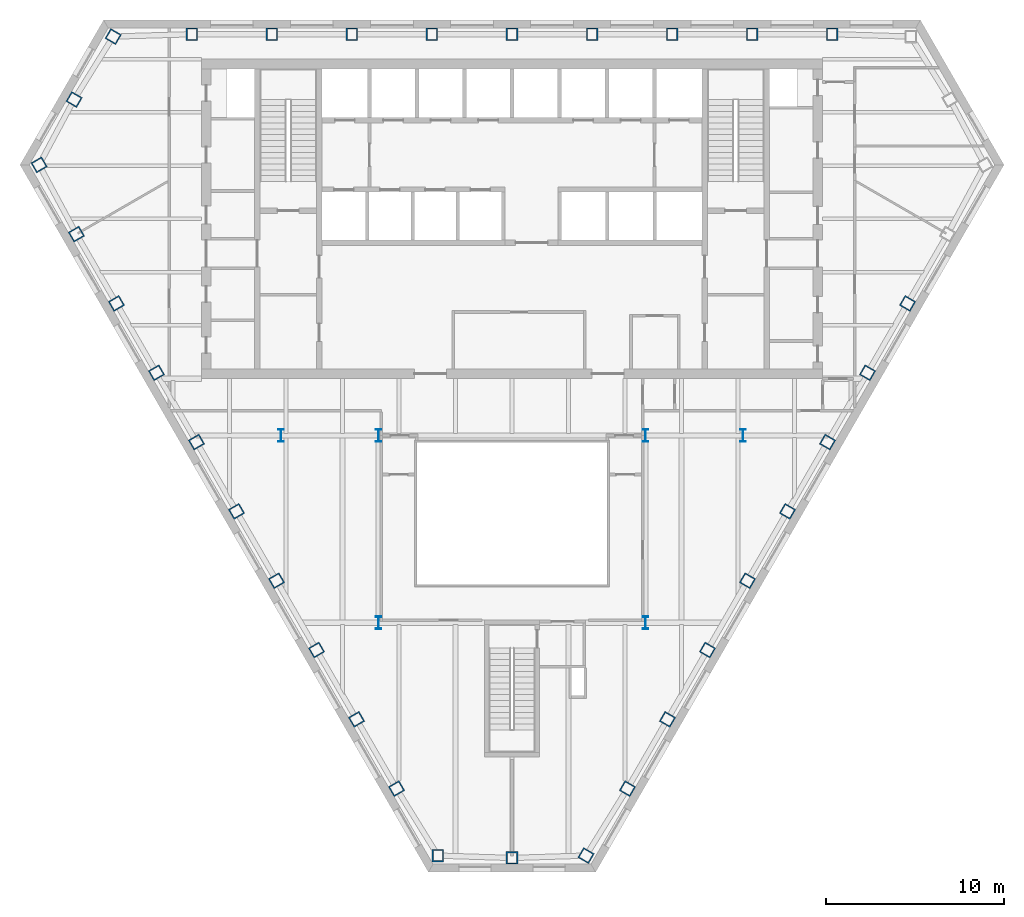
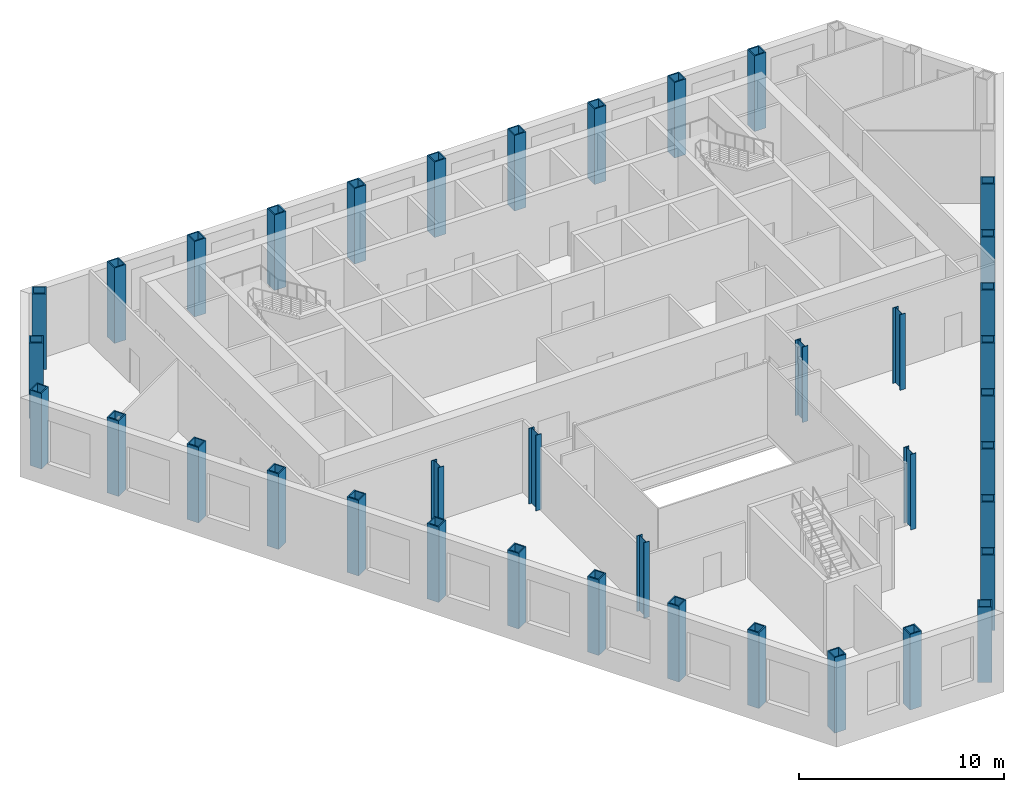
# One storey, part 1 of 11: 38 columns.
"""IFC4 building model written with IfcOpenShell, lengths in metres."""

from ifc_helpers import new_model, si_unit, direction, frame, origin, origin_2d, place, context, subcontext, project, spatial, hollow_rectangle, i_section, extrude, material, material_profile, profile_set, type_object, element, save


model = new_model("IFC4")

# Units and contexts
model_context = context("Model", 3, precision=1e-05, world=origin(), true_north=direction((0.0, 1.0)))
body_context = subcontext(model_context, "Body", "Model", "MODEL_VIEW")
ifc_project = project(units=[si_unit("LENGTHUNIT", "METRE"), si_unit("AREAUNIT", "SQUARE_METRE"), si_unit("VOLUMEUNIT", "CUBIC_METRE"), si_unit("PLANEANGLEUNIT", "RADIAN"), si_unit("MASSUNIT", "GRAM", prefix="KILO")], contexts=[model_context])

# Site, building, storey
site_placement = place(None, origin())
site = spatial("IfcSite", under=ifc_project, at=site_placement, CompositionType="ELEMENT")
building_placement = place(site_placement, origin())
building = spatial("IfcBuilding", under=site, at=building_placement, Name="Njiva Tower", CompositionType="ELEMENT")
storey_placement = place(building_placement, frame((0.0, 0.0, 129.3)))
storey = spatial("IfcBuildingStorey", under=building, at=storey_placement, Name="L27", CompositionType="ELEMENT", Elevation=129.3)

# Columns
ifc_material = material(Name="Steel S355 J2", Category="steel")
ifc_material_profile_1 = material_profile(ifc_material, hollow_rectangle(XDim=0.65, YDim=0.7, WallThickness=0.065, at=origin_2d()), Name="BOX 700x650x65")
ifc_profile_set_1 = profile_set([ifc_material_profile_1], Name="Steel S355 J2")
column_type_1 = type_object("IfcColumnType", Name="C7 Perimeter tube column BOX 700x650x65", PredefinedType="COLUMN", material=ifc_profile_set_1)
for number, where, z_axis, x_axis, name in (
    (1, (18.03, 19.4, 0.0), (0.0, 0.0, 1.0), (-1.0, 0.0, 0.0), "Perimeter tube column S09-C02"),
    (2, (13.523, 19.4, 0.0), (0.0, 0.0, 1.0), (-1.0, 0.0, 0.0), "Perimeter tube column S09-C03"),
    (3, (9.015, 19.4, 0.0), (0.0, 0.0, 1.0), (-1.0, 0.0, 0.0), "Perimeter tube column S09-C04"),
    (4, (4.508, 19.4, 0.0), (0.0, 0.0, 1.0), (-1.0, 0.0, 0.0), "Perimeter tube column S09-C05"),
    (5, (0.0, 19.4, 0.0), (0.0, 0.0, 1.0), (-1.0, 0.0, 0.0), "Perimeter tube column S09-C06"),
    (6, (-4.508, 19.4, 0.0), (0.0, 0.0, 1.0), (-1.0, 0.0, 0.0), "Perimeter tube column S09-C07"),
    (7, (-9.015, 19.4, 0.0), (0.0, 0.0, 1.0), (-1.0, 0.0, 0.0), "Perimeter tube column S09-C08"),
    (8, (-13.523, 19.4, 0.0), (0.0, 0.0, 1.0), (-1.0, 0.0, 0.0), "Perimeter tube column S09-C09"),
    (9, (-18.03, 19.4, 0.0), (0.0, 0.0, 1.0), (-1.0, 0.0, 0.0), "Perimeter tube column S09-C10"),
    (10, (-22.461, 19.267, 0.0), (0.0, 0.0, 1.0), (-0.5, -0.866025403784, 0.0), "Perimeter tube column S09-C11"),
    (11, (-24.662, 15.721, 0.0), (0.0, 0.0, 1.0), (-0.5, -0.866025403784, 0.0), "Perimeter tube column S09-C12"),
    (12, (-26.633, 12.042, 0.0), (0.0, 0.0, 1.0), (0.5, -0.866025403784, 0.0), "Perimeter tube column S09-C13"),
    (13, (-24.532, 8.138, 0.0), (0.0, 0.0, 1.0), (0.5, -0.866025403784, 0.0), "Perimeter tube column S09-C14"),
    (14, (-22.279, 4.235, 0.0), (0.0, 0.0, 1.0), (0.5, -0.866025403784, 0.0), "Perimeter tube column S09-C15"),
    (15, (-20.025, 0.331, 0.0), (0.0, 0.0, 1.0), (0.5, -0.866025403784, 0.0), "Perimeter tube column S09-C16"),
    (16, (-17.771, -3.573, 0.0), (0.0, 0.0, 1.0), (0.5, -0.866025403784, 0.0), "Perimeter tube column S09-C17"),
    (17, (-15.517, -7.477, 0.0), (0.0, 0.0, 1.0), (0.5, -0.866025403784, 0.0), "Perimeter tube column S09-C18"),
    (18, (-13.263, -11.38, 0.0), (0.0, 0.0, 1.0), (0.5, -0.866025403784, 0.0), "Perimeter tube column S09-C19"),
    (19, (-11.01, -15.284, 0.0), (0.0, 0.0, 1.0), (0.5, -0.866025403784, 0.0), "Perimeter tube column S09-C20"),
    (20, (-8.756, -19.188, 0.0), (0.0, 0.0, 1.0), (0.5, -0.866025403784, 0.0), "Perimeter tube column S09-C21"),
    (21, (-6.502, -23.091, 0.0), (0.0, 0.0, 1.0), (0.5, -0.866025403784, 0.0), "Perimeter tube column S09-C22"),
    (22, (-4.171, -26.862, 0.0), (0.0, 0.0, 1.0), (1.0, 0.0, 0.0), "Perimeter tube column S09-C23"),
    (23, (0.0, -26.995, 0.0), (0.0, 0.0, 1.0), (1.0, 0.0, 0.0), "Perimeter tube column S09-C24"),
    (24, (4.171, -26.862, 0.0), (0.0, 0.0, 1.0), (0.5, 0.866025403784, 0.0), "Perimeter tube column S09-C25"),
    (25, (6.502, -23.091, 0.0), (0.0, 0.0, 1.0), (0.5, 0.866025403784, 0.0), "Perimeter tube column S09-C26"),
    (26, (8.756, -19.188, 0.0), (0.0, 0.0, 1.0), (0.5, 0.866025403784, 0.0), "Perimeter tube column S09-C27"),
    (27, (11.01, -15.284, 0.0), (0.0, 0.0, 1.0), (0.5, 0.866025403784, 0.0), "Perimeter tube column S09-C28"),
    (28, (13.263, -11.38, 0.0), (0.0, 0.0, 1.0), (0.5, 0.866025403784, 0.0), "Perimeter tube column S09-C29"),
    (29, (15.517, -7.477, 0.0), (0.0, 0.0, 1.0), (0.5, 0.866025403784, 0.0), "Perimeter tube column S09-C30"),
    (30, (17.771, -3.573, 0.0), (0.0, 0.0, 1.0), (0.5, 0.866025403784, 0.0), "Perimeter tube column S09-C31"),
    (31, (20.025, 0.331, 0.0), (0.0, 0.0, 1.0), (0.5, 0.866025403784, 0.0), "Perimeter tube column S09-C32"),
    (32, (22.279, 4.235, 0.0), (0.0, 0.0, 1.0), (0.5, 0.866025403784, 0.0), "Perimeter tube column S09-C33"),
):
    element("IfcColumn", number, at=place(storey_placement, frame(where, z_axis=z_axis, x_axis=x_axis)), inside=storey, type_object=column_type_1, Name=name, PredefinedType="COLUMN", context=body_context, shape_type="SweptSolid", body=[
        extrude(hollow_rectangle(XDim=0.65, YDim=0.7, WallThickness=0.065, at=origin_2d()), origin(), (0.0, 0.0, 1.0), 4.5),
    ])
ifc_material_profile_2 = material_profile(ifc_material, i_section(OverallWidth=0.304, OverallDepth=0.716, WebThickness=0.021, FlangeThickness=0.04, at=origin_2d()), Name="HEM 700")
ifc_profile_set_2 = profile_set([ifc_material_profile_2], Name="Steel S355 J2")
column_type_2 = type_object("IfcColumnType", Name="C8 Interior column HEM 700", PredefinedType="COLUMN", material=ifc_profile_set_2)
for number, where, z_axis, x_axis, name in (
    (33, (7.51, -3.2, 0.0), (0.0, 0.0, 1.0), (1.0, 0.0, 0.0), "Interior column S09-C37"),
    (34, (-7.51, -3.2, 0.0), (0.0, 0.0, 1.0), (1.0, 0.0, 0.0), "Interior column S09-C38"),
    (35, (7.51, -13.75, 0.0), (0.0, 0.0, 1.0), (1.0, 0.0, 0.0), "Interior column S09-C39"),
    (36, (-7.51, -13.75, 0.0), (0.0, 0.0, 1.0), (1.0, 0.0, 0.0), "Interior column S09-C40"),
    (37, (13.0, -3.2, 0.0), (0.0, 0.0, 1.0), (1.0, 0.0, 0.0), "Interior column S09-C41"),
    (38, (-13.0, -3.2, 0.0), (0.0, 0.0, 1.0), (1.0, 0.0, 0.0), "Interior column S09-C42"),
):
    element("IfcColumn", number, at=place(storey_placement, frame(where, z_axis=z_axis, x_axis=x_axis)), inside=storey, type_object=column_type_2, Name=name, PredefinedType="COLUMN", context=body_context, shape_type="SweptSolid", body=[
        extrude(i_section(OverallWidth=0.304, OverallDepth=0.716, WebThickness=0.021, FlangeThickness=0.04, at=origin_2d()), origin(), (0.0, 0.0, 1.0), 4.5),
    ])

save(model, "model.ifc")
